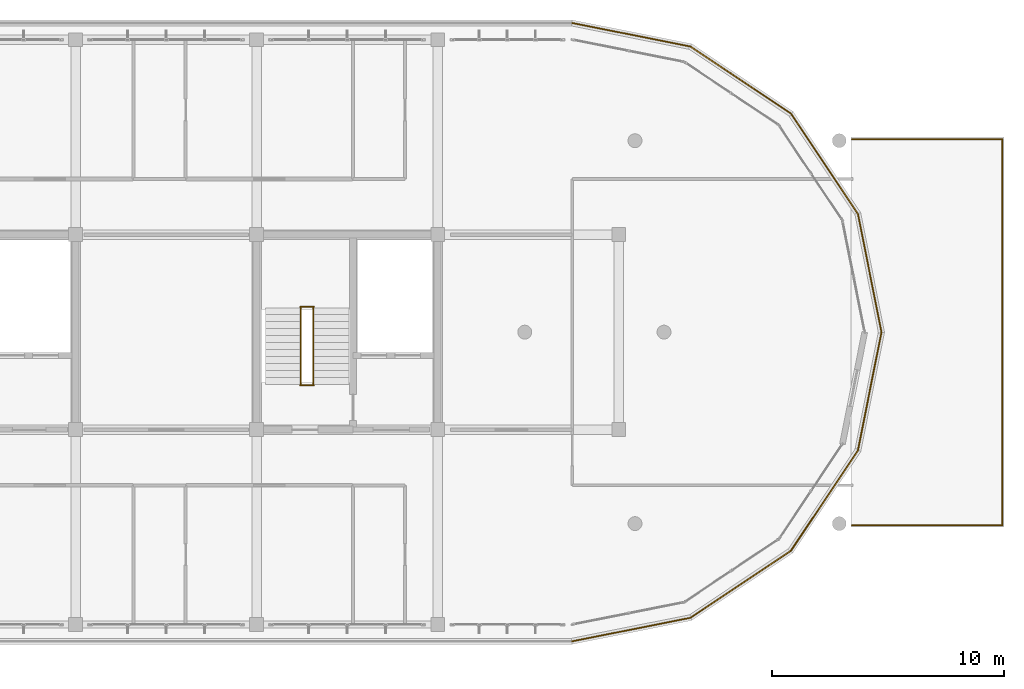
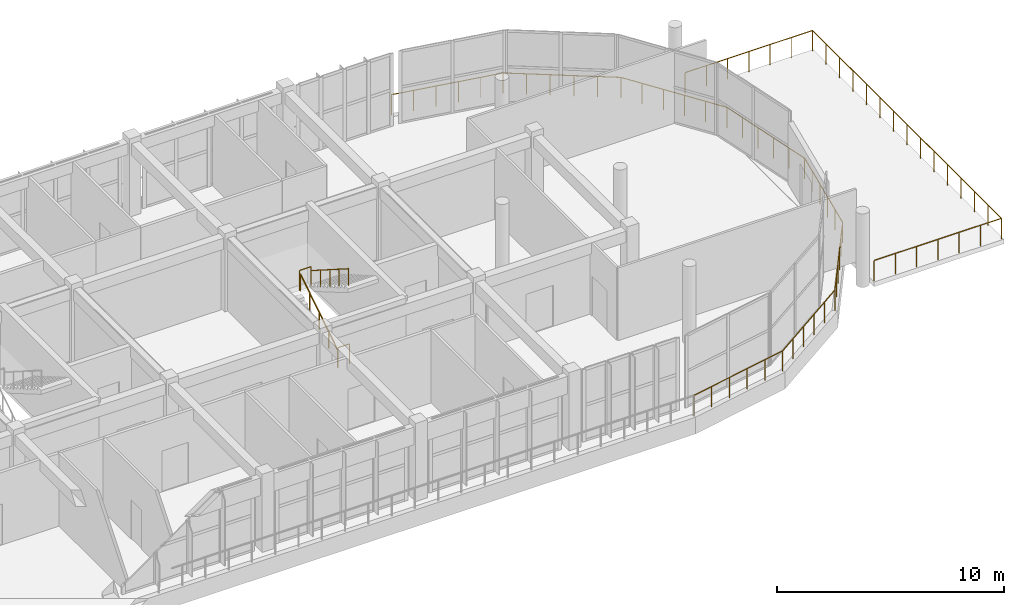
# One storey, part 50 of 50: 15 railings.
"""IFC4 building model written with IfcOpenShell, lengths in metres."""

from ifc_helpers import new_model, si_unit, direction, frame, origin, origin_2d, place, context, subcontext, project, spatial, circle, hollow_circle, extrude, material, material_profile, profile_set, type_object, element, save


model = new_model("IFC4")

# Units and contexts
model_context = context("Model", 3, precision=1e-05, world=origin(), true_north=direction((0.0, 1.0)))
body_context = subcontext(model_context, "Body", "Model", "MODEL_VIEW")
ifc_project = project(units=[si_unit("LENGTHUNIT", "METRE"), si_unit("AREAUNIT", "SQUARE_METRE"), si_unit("VOLUMEUNIT", "CUBIC_METRE"), si_unit("PLANEANGLEUNIT", "RADIAN"), si_unit("MASSUNIT", "GRAM", prefix="KILO")], contexts=[model_context])

# Site, building, storey
site_placement = place(None, origin())
site = spatial("IfcSite", under=ifc_project, at=site_placement, CompositionType="ELEMENT")
building_placement = place(site_placement, origin())
building = spatial("IfcBuilding", under=site, at=building_placement, Name="Zizhar Promenade General Hospital", CompositionType="ELEMENT")
storey_placement = place(building_placement, frame((0.0, 0.0, 30.60009765625)))
storey = spatial("IfcBuildingStorey", under=building, at=storey_placement, Name="L07", CompositionType="ELEMENT", Elevation=30.60009765625)

# Railings
ifc_material_1 = material(Name="Anodised aluminium 6063-T6", Category="aluminium")
ifc_material_profile_1 = material_profile(ifc_material_1, hollow_circle(Radius=0.06982421875, WallThickness=0.00634765625, at=origin_2d()))
ifc_profile_set_1 = profile_set([ifc_material_profile_1], Name="Anodised aluminium 6063-T6")
railing_type_1 = type_object("IfcRailingType", Name="RL-GUARD-TERR-1100", PredefinedType="GUARDRAIL", material=ifc_profile_set_1)
railing_1_placement = place(storey_placement, frame((107.199951171875, -0.719970703125, 0.0)))
element("IfcRailing", 1, at=railing_1_placement, inside=storey, type_object=railing_type_1, Name="Perimeter Safety Guardrail L07-01", PredefinedType="GUARDRAIL", context=body_context, shape_type="SweptSolid", body=[
    extrude(circle(Radius=0.02392578125, at=origin_2d()), frame((0.0, 0.0, 1.09619140625), z_axis=(0.980786101187, 0.195086195614, 0.0), x_axis=(-0.195086195614, 0.980786101187, 0.0)), (0.0, 0.0, 1.0), 5.197265625),
    extrude(circle(Radius=0.02099609375, at=origin_2d()), origin(), (0.0, 0.0, 1.0), 1.072021484375),
    extrude(circle(Radius=0.02099609375, at=origin_2d()), frame((1.01953125, 0.202880859375, 0.0)), (0.0, 0.0, 1.0), 1.072021484375),
    extrude(circle(Radius=0.02099609375, at=origin_2d()), frame((2.0390625, 0.405517578125, 0.0)), (0.0, 0.0, 1.0), 1.072021484375),
    extrude(circle(Radius=0.02099609375, at=origin_2d()), frame((3.058349609375, 0.6083984375, 0.0)), (0.0, 0.0, 1.0), 1.072021484375),
    extrude(circle(Radius=0.02099609375, at=origin_2d()), frame((4.077880859375, 0.81103515625, 0.0)), (0.0, 0.0, 1.0), 1.072021484375),
    extrude(circle(Radius=0.02099609375, at=origin_2d()), frame((5.097412109375, 1.013916015625, 0.0)), (0.0, 0.0, 1.0), 1.072021484375),
])
railing_2_placement = place(storey_placement, frame((112.29736328125, 0.2939453125, 0.0)))
element("IfcRailing", 2, at=railing_2_placement, inside=storey, type_object=railing_type_1, Name="Perimeter Safety Guardrail L07-02", PredefinedType="GUARDRAIL", context=body_context, shape_type="SweptSolid", body=[
    extrude(circle(Radius=0.02392578125, at=origin_2d()), frame((0.0, 0.0, 1.09619140625), z_axis=(0.831464445352, 0.555577965829, 0.0), x_axis=(-0.555577965829, 0.831464445352, 0.0)), (0.0, 0.0, 1.0), 5.197265625),
    extrude(circle(Radius=0.02099609375, at=origin_2d()), origin(), (0.0, 0.0, 1.0), 1.072021484375),
    extrude(circle(Radius=0.02099609375, at=origin_2d()), frame((0.8642578125, 0.577392578125, 0.0)), (0.0, 0.0, 1.0), 1.072021484375),
    extrude(circle(Radius=0.02099609375, at=origin_2d()), frame((1.728515625, 1.155029296875, 0.0)), (0.0, 0.0, 1.0), 1.072021484375),
    extrude(circle(Radius=0.02099609375, at=origin_2d()), frame((2.5927734375, 1.732421875, 0.0)), (0.0, 0.0, 1.0), 1.072021484375),
    extrude(circle(Radius=0.02099609375, at=origin_2d()), frame((3.45703125, 2.31005859375, 0.0)), (0.0, 0.0, 1.0), 1.072021484375),
    extrude(circle(Radius=0.02099609375, at=origin_2d()), frame((4.3212890625, 2.887451171875, 0.0)), (0.0, 0.0, 1.0), 1.072021484375),
])
railing_3_placement = place(storey_placement, frame((116.61865234375, 3.181396484375, 0.0)))
element("IfcRailing", 3, at=railing_3_placement, inside=storey, type_object=railing_type_1, Name="Perimeter Safety Guardrail L07-03", PredefinedType="GUARDRAIL", context=body_context, shape_type="SweptSolid", body=[
    extrude(circle(Radius=0.02392578125, at=origin_2d()), frame((0.0, 0.0, 1.09619140625), z_axis=(0.555577965829, 0.831464445352, 0.0), x_axis=(-0.831464445352, 0.555577965829, 0.0)), (0.0, 0.0, 1.0), 5.197265625),
    extrude(circle(Radius=0.02099609375, at=origin_2d()), origin(), (0.0, 0.0, 1.0), 1.072021484375),
    extrude(circle(Radius=0.02099609375, at=origin_2d()), frame((0.577392578125, 0.8642578125, 0.0)), (0.0, 0.0, 1.0), 1.072021484375),
    extrude(circle(Radius=0.02099609375, at=origin_2d()), frame((1.155029296875, 1.728515625, 0.0)), (0.0, 0.0, 1.0), 1.072021484375),
    extrude(circle(Radius=0.02099609375, at=origin_2d()), frame((1.732421875, 2.5927734375, 0.0)), (0.0, 0.0, 1.0), 1.072021484375),
    extrude(circle(Radius=0.02099609375, at=origin_2d()), frame((2.31005859375, 3.45703125, 0.0)), (0.0, 0.0, 1.0), 1.072021484375),
    extrude(circle(Radius=0.02099609375, at=origin_2d()), frame((2.887451171875, 4.3212890625, 0.0)), (0.0, 0.0, 1.0), 1.072021484375),
])
railing_4_placement = place(storey_placement, frame((119.506103515625, 7.502685546875, 0.0)))
element("IfcRailing", 4, at=railing_4_placement, inside=storey, type_object=railing_type_1, Name="Perimeter Safety Guardrail L07-04", PredefinedType="GUARDRAIL", context=body_context, shape_type="SweptSolid", body=[
    extrude(circle(Radius=0.02392578125, at=origin_2d()), frame((0.0, 0.0, 1.09619140625), z_axis=(0.195086195614, 0.980786101187, 0.0), x_axis=(-0.980786101187, 0.195086195614, 0.0)), (0.0, 0.0, 1.0), 5.197265625),
    extrude(circle(Radius=0.02099609375, at=origin_2d()), origin(), (0.0, 0.0, 1.0), 1.072021484375),
    extrude(circle(Radius=0.02099609375, at=origin_2d()), frame((0.202880859375, 1.01953125, 0.0)), (0.0, 0.0, 1.0), 1.072021484375),
    extrude(circle(Radius=0.02099609375, at=origin_2d()), frame((0.405517578125, 2.0390625, 0.0)), (0.0, 0.0, 1.0), 1.072021484375),
    extrude(circle(Radius=0.02099609375, at=origin_2d()), frame((0.6083984375, 3.058349609375, 0.0)), (0.0, 0.0, 1.0), 1.072021484375),
    extrude(circle(Radius=0.02099609375, at=origin_2d()), frame((0.81103515625, 4.077880859375, 0.0)), (0.0, 0.0, 1.0), 1.072021484375),
    extrude(circle(Radius=0.02099609375, at=origin_2d()), frame((1.013916015625, 5.097412109375, 0.0)), (0.0, 0.0, 1.0), 1.072021484375),
])
railing_5_placement = place(storey_placement, frame((120.52001953125, 12.60009765625, 0.0)))
element("IfcRailing", 5, at=railing_5_placement, inside=storey, type_object=railing_type_1, Name="Perimeter Safety Guardrail L07-05", PredefinedType="GUARDRAIL", context=body_context, shape_type="SweptSolid", body=[
    extrude(circle(Radius=0.02392578125, at=origin_2d()), frame((0.0, 0.0, 1.09619140625), z_axis=(-0.195095184069, 0.980784313268, 0.0), x_axis=(-0.980784313268, -0.195095184069, 0.0)), (0.0, 0.0, 1.0), 5.197021484375),
    extrude(circle(Radius=0.02099609375, at=origin_2d()), origin(), (0.0, 0.0, 1.0), 1.072021484375),
    extrude(circle(Radius=0.02099609375, at=origin_2d()), frame((-0.202880859375, 1.01953125, 0.0)), (0.0, 0.0, 1.0), 1.072021484375),
    extrude(circle(Radius=0.02099609375, at=origin_2d()), frame((-0.405517578125, 2.038818359375, 0.0)), (0.0, 0.0, 1.0), 1.072021484375),
    extrude(circle(Radius=0.02099609375, at=origin_2d()), frame((-0.6083984375, 3.058349609375, 0.0)), (0.0, 0.0, 1.0), 1.072021484375),
    extrude(circle(Radius=0.02099609375, at=origin_2d()), frame((-0.81103515625, 4.07763671875, 0.0)), (0.0, 0.0, 1.0), 1.072021484375),
    extrude(circle(Radius=0.02099609375, at=origin_2d()), frame((-1.013916015625, 5.09716796875, 0.0)), (0.0, 0.0, 1.0), 1.072021484375),
])
railing_6_placement = place(storey_placement, frame((119.506103515625, 17.697265625, 0.0)))
element("IfcRailing", 6, at=railing_6_placement, inside=storey, type_object=railing_type_1, Name="Perimeter Safety Guardrail L07-06", PredefinedType="GUARDRAIL", context=body_context, shape_type="SweptSolid", body=[
    extrude(circle(Radius=0.02392578125, at=origin_2d()), frame((0.0, 0.0, 1.09619140625), z_axis=(-0.555556266519, 0.83147894425, 0.0), x_axis=(-0.83147894425, -0.555556266519, 0.0)), (0.0, 0.0, 1.0), 5.197509765625),
    extrude(circle(Radius=0.02099609375, at=origin_2d()), origin(), (0.0, 0.0, 1.0), 1.072021484375),
    extrude(circle(Radius=0.02099609375, at=origin_2d()), frame((-0.577392578125, 0.8642578125, 0.0)), (0.0, 0.0, 1.0), 1.072021484375),
    extrude(circle(Radius=0.02099609375, at=origin_2d()), frame((-1.155029296875, 1.728515625, 0.0)), (0.0, 0.0, 1.0), 1.072021484375),
    extrude(circle(Radius=0.02099609375, at=origin_2d()), frame((-1.732421875, 2.593017578125, 0.0)), (0.0, 0.0, 1.0), 1.072021484375),
    extrude(circle(Radius=0.02099609375, at=origin_2d()), frame((-2.31005859375, 3.457275390625, 0.0)), (0.0, 0.0, 1.0), 1.072021484375),
    extrude(circle(Radius=0.02099609375, at=origin_2d()), frame((-2.887451171875, 4.321533203125, 0.0)), (0.0, 0.0, 1.0), 1.072021484375),
])
railing_7_placement = place(storey_placement, frame((116.61865234375, 22.018798828125, 0.0)))
element("IfcRailing", 7, at=railing_7_placement, inside=storey, type_object=railing_type_1, Name="Perimeter Safety Guardrail L07-07", PredefinedType="GUARDRAIL", context=body_context, shape_type="SweptSolid", body=[
    extrude(circle(Radius=0.02392578125, at=origin_2d()), frame((0.0, 0.0, 1.09619140625), z_axis=(-0.831486145253, 0.555545488913, 0.0), x_axis=(-0.555545488913, -0.831486145253, 0.0)), (0.0, 0.0, 1.0), 5.197021484375),
    extrude(circle(Radius=0.02099609375, at=origin_2d()), origin(), (0.0, 0.0, 1.0), 1.072021484375),
    extrude(circle(Radius=0.02099609375, at=origin_2d()), frame((-0.8642578125, 0.577392578125, 0.0)), (0.0, 0.0, 1.0), 1.072021484375),
    extrude(circle(Radius=0.02099609375, at=origin_2d()), frame((-1.728515625, 1.15478515625, 0.0)), (0.0, 0.0, 1.0), 1.072021484375),
    extrude(circle(Radius=0.02099609375, at=origin_2d()), frame((-2.5927734375, 1.732421875, 0.0)), (0.0, 0.0, 1.0), 1.072021484375),
    extrude(circle(Radius=0.02099609375, at=origin_2d()), frame((-3.45703125, 2.309814453125, 0.0)), (0.0, 0.0, 1.0), 1.072021484375),
    extrude(circle(Radius=0.02099609375, at=origin_2d()), frame((-4.3212890625, 2.88720703125, 0.0)), (0.0, 0.0, 1.0), 1.072021484375),
])
railing_8_placement = place(storey_placement, frame((112.29736328125, 24.906005859375, 0.0)))
element("IfcRailing", 8, at=railing_8_placement, inside=storey, type_object=railing_type_1, Name="Perimeter Safety Guardrail L07-08", PredefinedType="GUARDRAIL", context=body_context, shape_type="SweptSolid", body=[
    extrude(circle(Radius=0.02392578125, at=origin_2d()), frame((0.0, 0.0, 1.09619140625), z_axis=(-0.980786101187, 0.195086195614, 0.0), x_axis=(-0.195086195614, -0.980786101187, 0.0)), (0.0, 0.0, 1.0), 5.197265625),
    extrude(circle(Radius=0.02099609375, at=origin_2d()), origin(), (0.0, 0.0, 1.0), 1.072021484375),
    extrude(circle(Radius=0.02099609375, at=origin_2d()), frame((-1.01953125, 0.202880859375, 0.0)), (0.0, 0.0, 1.0), 1.072021484375),
    extrude(circle(Radius=0.02099609375, at=origin_2d()), frame((-2.0390625, 0.405517578125, 0.0)), (0.0, 0.0, 1.0), 1.072021484375),
    extrude(circle(Radius=0.02099609375, at=origin_2d()), frame((-3.058349609375, 0.6083984375, 0.0)), (0.0, 0.0, 1.0), 1.072021484375),
    extrude(circle(Radius=0.02099609375, at=origin_2d()), frame((-4.077880859375, 0.81103515625, 0.0)), (0.0, 0.0, 1.0), 1.072021484375),
    extrude(circle(Radius=0.02099609375, at=origin_2d()), frame((-5.097412109375, 1.013916015625, 0.0)), (0.0, 0.0, 1.0), 1.072021484375),
])
railing_9_placement = place(storey_placement, frame((119.25, 4.280029296875, 0.0)))
element("IfcRailing", 9, at=railing_9_placement, inside=storey, type_object=railing_type_1, Name="Perimeter Safety Guardrail L07-01", PredefinedType="GUARDRAIL", context=body_context, shape_type="SweptSolid", body=[
    extrude(circle(Radius=0.02392578125, at=origin_2d()), frame((0.0, 0.0, 1.09619140625), z_axis=(1.0, 0.0, 0.0), x_axis=(0.0, 1.0, 0.0)), (0.0, 0.0, 1.0), 6.469970703125),
    extrude(circle(Radius=0.02099609375, at=origin_2d()), origin(), (0.0, 0.0, 1.0), 1.072021484375),
    extrude(circle(Radius=0.02099609375, at=origin_2d()), frame((1.078369140625, 0.0, 0.0)), (0.0, 0.0, 1.0), 1.072021484375),
    extrude(circle(Radius=0.02099609375, at=origin_2d()), frame((2.15673828125, 0.0, 0.0)), (0.0, 0.0, 1.0), 1.072021484375),
    extrude(circle(Radius=0.02099609375, at=origin_2d()), frame((3.23486328125, 0.0, 0.0)), (0.0, 0.0, 1.0), 1.072021484375),
    extrude(circle(Radius=0.02099609375, at=origin_2d()), frame((4.313232421875, 0.0, 0.0)), (0.0, 0.0, 1.0), 1.072021484375),
    extrude(circle(Radius=0.02099609375, at=origin_2d()), frame((5.3916015625, 0.0, 0.0)), (0.0, 0.0, 1.0), 1.072021484375),
    extrude(circle(Radius=0.02099609375, at=origin_2d()), frame((6.469970703125, 0.0, 0.0)), (0.0, 0.0, 1.0), 1.072021484375),
])
railing_10_placement = place(storey_placement, frame((125.719970703125, 4.280029296875, 0.0)))
element("IfcRailing", 10, at=railing_10_placement, inside=storey, type_object=railing_type_1, Name="Perimeter Safety Guardrail L07-02", PredefinedType="GUARDRAIL", context=body_context, shape_type="SweptSolid", body=[
    extrude(circle(Radius=0.02392578125, at=origin_2d()), frame((0.0, 0.0, 1.09619140625), z_axis=(0.0, 1.0, 0.0), x_axis=(-1.0, 0.0, 0.0)), (0.0, 0.0, 1.0), 16.639892578125),
    extrude(circle(Radius=0.02099609375, at=origin_2d()), origin(), (0.0, 0.0, 1.0), 1.072021484375),
    extrude(circle(Radius=0.02099609375, at=origin_2d()), frame((0.0, 1.1884765625, 0.0)), (0.0, 0.0, 1.0), 1.072021484375),
    extrude(circle(Radius=0.02099609375, at=origin_2d()), frame((0.0, 2.377197265625, 0.0)), (0.0, 0.0, 1.0), 1.072021484375),
    extrude(circle(Radius=0.02099609375, at=origin_2d()), frame((0.0, 3.565673828125, 0.0)), (0.0, 0.0, 1.0), 1.072021484375),
    extrude(circle(Radius=0.02099609375, at=origin_2d()), frame((0.0, 4.754150390625, 0.0)), (0.0, 0.0, 1.0), 1.072021484375),
    extrude(circle(Radius=0.02099609375, at=origin_2d()), frame((0.0, 5.94287109375, 0.0)), (0.0, 0.0, 1.0), 1.072021484375),
    extrude(circle(Radius=0.02099609375, at=origin_2d()), frame((0.0, 7.13134765625, 0.0)), (0.0, 0.0, 1.0), 1.072021484375),
    extrude(circle(Radius=0.02099609375, at=origin_2d()), frame((0.0, 8.31982421875, 0.0)), (0.0, 0.0, 1.0), 1.072021484375),
    extrude(circle(Radius=0.02099609375, at=origin_2d()), frame((0.0, 9.508544921875, 0.0)), (0.0, 0.0, 1.0), 1.072021484375),
    extrude(circle(Radius=0.02099609375, at=origin_2d()), frame((0.0, 10.697021484375, 0.0)), (0.0, 0.0, 1.0), 1.072021484375),
    extrude(circle(Radius=0.02099609375, at=origin_2d()), frame((0.0, 11.8857421875, 0.0)), (0.0, 0.0, 1.0), 1.072021484375),
    extrude(circle(Radius=0.02099609375, at=origin_2d()), frame((0.0, 13.07421875, 0.0)), (0.0, 0.0, 1.0), 1.072021484375),
    extrude(circle(Radius=0.02099609375, at=origin_2d()), frame((0.0, 14.2626953125, 0.0)), (0.0, 0.0, 1.0), 1.072021484375),
    extrude(circle(Radius=0.02099609375, at=origin_2d()), frame((0.0, 15.451416015625, 0.0)), (0.0, 0.0, 1.0), 1.072021484375),
    extrude(circle(Radius=0.02099609375, at=origin_2d()), frame((0.0, 16.639892578125, 0.0)), (0.0, 0.0, 1.0), 1.072021484375),
])
railing_11_placement = place(storey_placement, frame((125.719970703125, 20.919921875, 0.0)))
element("IfcRailing", 11, at=railing_11_placement, inside=storey, type_object=railing_type_1, Name="Perimeter Safety Guardrail L07-03", PredefinedType="GUARDRAIL", context=body_context, shape_type="SweptSolid", body=[
    extrude(circle(Radius=0.02392578125, at=origin_2d()), frame((0.0, 0.0, 1.09619140625), z_axis=(-1.0, 0.0, 0.0), x_axis=(0.0, -1.0, 0.0)), (0.0, 0.0, 1.0), 6.469970703125),
    extrude(circle(Radius=0.02099609375, at=origin_2d()), origin(), (0.0, 0.0, 1.0), 1.072021484375),
    extrude(circle(Radius=0.02099609375, at=origin_2d()), frame((-1.078369140625, 0.0, 0.0)), (0.0, 0.0, 1.0), 1.072021484375),
    extrude(circle(Radius=0.02099609375, at=origin_2d()), frame((-2.15673828125, 0.0, 0.0)), (0.0, 0.0, 1.0), 1.072021484375),
    extrude(circle(Radius=0.02099609375, at=origin_2d()), frame((-3.23486328125, 0.0, 0.0)), (0.0, 0.0, 1.0), 1.072021484375),
    extrude(circle(Radius=0.02099609375, at=origin_2d()), frame((-4.313232421875, 0.0, 0.0)), (0.0, 0.0, 1.0), 1.072021484375),
    extrude(circle(Radius=0.02099609375, at=origin_2d()), frame((-5.3916015625, 0.0, 0.0)), (0.0, 0.0, 1.0), 1.072021484375),
    extrude(circle(Radius=0.02099609375, at=origin_2d()), frame((-6.469970703125, 0.0, 0.0)), (0.0, 0.0, 1.0), 1.072021484375),
])
ifc_material_2 = material(Name="Anodised aluminium 6063-T6", Category="aluminium")
ifc_material_profile_2 = material_profile(ifc_material_2, hollow_circle(Radius=0.06982421875, WallThickness=0.00634765625, at=origin_2d()))
ifc_profile_set_2 = profile_set([ifc_material_profile_2], Name="Anodised aluminium 6063-T6")
railing_type_2 = type_object("IfcRailingType", Name="RL-HANDRAIL-920", PredefinedType="HANDRAIL", material=ifc_profile_set_2)
railing_12_placement = place(storey_placement, frame((95.5, 10.35009765625, 0.0)))
element("IfcRailing", 12, at=railing_12_placement, inside=storey, type_object=railing_type_2, Name="Stair ST-05 Flight 1 Handrail (L07)", PredefinedType="HANDRAIL", context=body_context, shape_type="SweptSolid", body=[
    extrude(circle(Radius=0.02392578125, at=origin_2d()), frame((0.0, 0.0, 0.89599609375), z_axis=(0.0, 0.843664057944, 0.536871453268), x_axis=(-1.0, 0.0, 0.0)), (0.0, 0.0, 1.0), 3.911376953125),
    extrude(circle(Radius=0.02099609375, at=origin_2d()), origin(), (0.0, 0.0, 1.0), 0.871826171875),
    extrude(circle(Radius=0.02099609375, at=origin_2d()), frame((0.0, 0.824951171875, 0.52490234375)), (0.0, 0.0, 1.0), 0.871826171875),
    extrude(circle(Radius=0.02099609375, at=origin_2d()), frame((0.0, 1.64990234375, 1.0498046875)), (0.0, 0.0, 1.0), 0.871826171875),
    extrude(circle(Radius=0.02099609375, at=origin_2d()), frame((0.0, 2.474853515625, 1.574951171875)), (0.0, 0.0, 1.0), 0.871826171875),
    extrude(circle(Radius=0.02099609375, at=origin_2d()), frame((0.0, 3.2998046875, 2.099853515625)), (0.0, 0.0, 1.0), 0.871826171875),
])
railing_13_placement = place(storey_placement, frame((96.0400390625, 13.64990234375, 2.099853515625)))
element("IfcRailing", 13, at=railing_13_placement, inside=storey, type_object=railing_type_2, Name="Stair ST-05 Flight 2 Handrail (L07)", PredefinedType="HANDRAIL", context=body_context, shape_type="SweptSolid", body=[
    extrude(circle(Radius=0.02392578125, at=origin_2d()), frame((0.0, 0.0, 0.89599609375), z_axis=(0.0, -0.843635785416, 0.536915879413), x_axis=(1.0, 0.0, 0.0)), (0.0, 0.0, 1.0), 3.911376953125),
    extrude(circle(Radius=0.02099609375, at=origin_2d()), origin(), (0.0, 0.0, 1.0), 0.871826171875),
    extrude(circle(Radius=0.02099609375, at=origin_2d()), frame((0.0, -0.824951171875, 0.52490234375)), (0.0, 0.0, 1.0), 0.871826171875),
    extrude(circle(Radius=0.02099609375, at=origin_2d()), frame((0.0, -1.64990234375, 1.050048828125)), (0.0, 0.0, 1.0), 0.871826171875),
    extrude(circle(Radius=0.02099609375, at=origin_2d()), frame((0.0, -2.474853515625, 1.5751953125)), (0.0, 0.0, 1.0), 0.871826171875),
    extrude(circle(Radius=0.02099609375, at=origin_2d()), frame((0.0, -3.2998046875, 2.10009765625)), (0.0, 0.0, 1.0), 0.871826171875),
])
ifc_material_3 = material(Name="Steel S355", Category="steel")
ifc_material_profile_3 = material_profile(ifc_material_3, hollow_circle(Radius=0.06982421875, WallThickness=0.00634765625, at=origin_2d()))
ifc_profile_set_3 = profile_set([ifc_material_profile_3], Name="Steel S355")
railing_type_3 = type_object("IfcRailingType", Name="RL-STAIR-GUARD-1100", PredefinedType="GUARDRAIL", material=ifc_profile_set_3)
for number, where, name in (
    (14, (95.47998046875, 13.68994140625, 2.099853515625), "Stair ST-05 Half-Landing Guard (L07)"),
    (15, (95.47998046875, 10.31005859375, 0.0), "Stair ST-05 Landing Well Guard (L07)"),
):
    element("IfcRailing", number, at=place(storey_placement, frame(where)), inside=storey, type_object=railing_type_3, Name=name, PredefinedType="GUARDRAIL", context=body_context, shape_type="SweptSolid", body=[
        extrude(circle(Radius=0.02392578125, at=origin_2d()), frame((0.0, 0.0, 1.076171875), z_axis=(1.0, 0.0, 0.0), x_axis=(0.0, 1.0, 0.0)), (0.0, 0.0, 1.0), 0.580078125),
        extrude(circle(Radius=0.02099609375, at=origin_2d()), origin(), (0.0, 0.0, 1.0), 1.052001953125),
        extrude(circle(Radius=0.02099609375, at=origin_2d()), frame((0.580078125, 0.0, 0.0)), (0.0, 0.0, 1.0), 1.052001953125),
    ])

save(model, "model.ifc")
